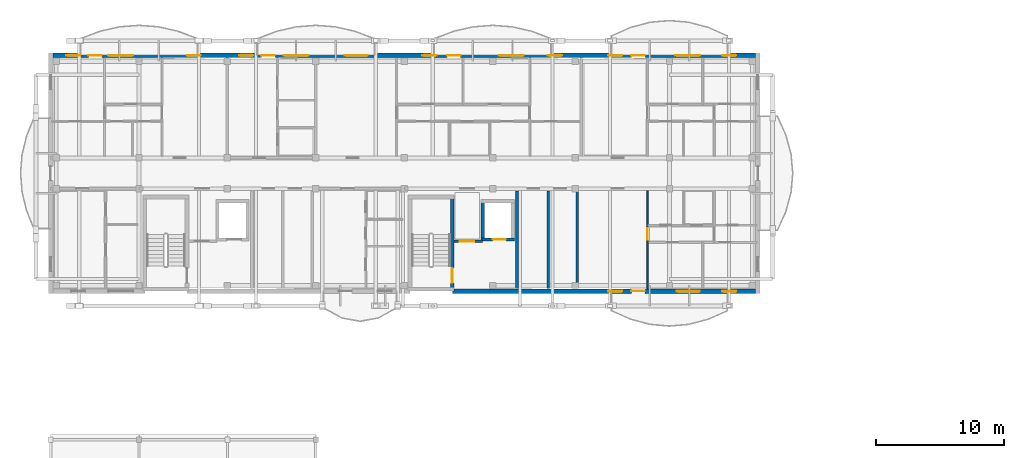
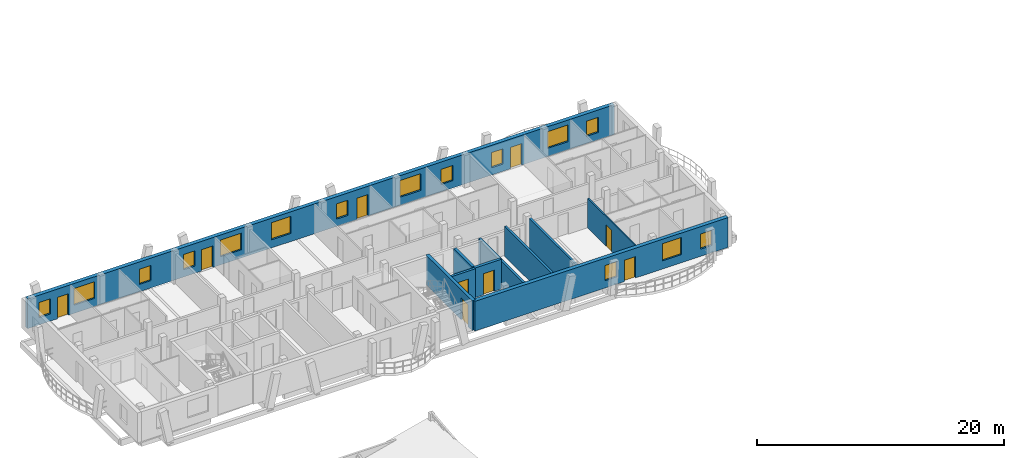
# One storey, part 26 of 50: 15 windows, 10 walls, 9 doors, 24 openings.
"""IFC4 building model written with IfcOpenShell, lengths in metres."""

import ifcopenshell
import ifcopenshell.guid

model = None  # the IFC model being written
_history = None  # IfcOwnerHistory: only IFC2X3 demands one
_inside = {}  # id of a spatial element -> (the spatial element, [elements in it])
_under = {}  # id of a project, library or spatial element -> (it, [spatial elements below it])
_declared = {}  # id of a project -> (the project, [libraries it declares])
_typed = {}  # id of a type object -> (the type object, [elements of that type])
_made_of = {}  # id of a material, layer set ... -> (it, [elements and type objects made of it])


def new_model(schema):
    """Start an empty IFC model of exactly this schema.

    Asked for "IFC4X3", IfcOpenShell would pick the latest addendum, in which some entities
    have other attributes; the version numbers below select the first issue.
    IFC2X3 requires an IfcOwnerHistory on every rooted entity: one is made here for all.
    """
    global model, _history
    if schema == "IFC4X3":
        model = ifcopenshell.file(schema_version=(4, 3, 0, 0))
    else:
        model = ifcopenshell.file(schema=schema)
    _inside.clear()
    _under.clear()
    _declared.clear()
    _typed.clear()
    _made_of.clear()
    _history = None
    if model.schema == "IFC2X3":
        org = make("IfcOrganization", Name="unknown")
        user = make(
            "IfcPersonAndOrganization",
            ThePerson=make("IfcPerson", FamilyName="unknown"),
            TheOrganization=org,
        )
        app = make(
            "IfcApplication",
            ApplicationDeveloper=org,
            Version="unknown",
            ApplicationFullName="unknown",
            ApplicationIdentifier="unknown",
        )
        _history = make(
            "IfcOwnerHistory",
            OwningUser=user,
            OwningApplication=app,
            ChangeAction="ADDED",
            CreationDate=0,
        )
    return model


def make(cls, **values):
    """One entity of the class cls with the attributes given. An attribute that is None is left unset."""
    return model.create_entity(
        cls, **{name: value for name, value in values.items() if value is not None}
    )


def rooted(cls, **values):
    """An entity with a GlobalId (a new one), such as an element, a storey or a relation."""
    return make(cls, GlobalId=ifcopenshell.guid.new(), OwnerHistory=_history, **values)


def si_unit(unit_type, name, prefix=None):
    """IfcSIUnit, for example si_unit("LENGTHUNIT", "METRE", prefix="MILLI")."""
    return make("IfcSIUnit", UnitType=unit_type, Prefix=prefix, Name=name)


def assignment(units):
    """IfcUnitAssignment: the units of a project."""
    return None if units is None else make("IfcUnitAssignment", Units=units)


def point(xyz):
    """IfcCartesianPoint."""
    return None if xyz is None else make("IfcCartesianPoint", Coordinates=xyz)


def direction(xyz):
    """IfcDirection."""
    return None if xyz is None else make("IfcDirection", DirectionRatios=xyz)


def frame(location, z_axis=None, x_axis=None):
    """IfcAxis2Placement3D, a coordinate frame: its origin and axes. An axis left out is left unset."""
    return make(
        "IfcAxis2Placement3D",
        Location=point(location),
        Axis=direction(z_axis),
        RefDirection=direction(x_axis),
    )


def frame_2d(location, x_axis=None):
    """IfcAxis2Placement2D, a coordinate frame in the plane: its origin and x axis."""
    return make(
        "IfcAxis2Placement2D", Location=point(location), RefDirection=direction(x_axis)
    )


def origin():
    """The frame at (0, 0, 0) with its axes left unset."""
    return frame((0.0, 0.0, 0.0))


def origin_with_axes():
    """The frame at (0, 0, 0) with the z axis (0, 0, 1) and the x axis (1, 0, 0) written out."""
    return frame((0.0, 0.0, 0.0), z_axis=(0.0, 0.0, 1.0), x_axis=(1.0, 0.0, 0.0))


def place(relative_to, where):
    """IfcLocalPlacement: puts the frame where relative to a parent placement (None: the world)."""
    return make(
        "IfcLocalPlacement", PlacementRelTo=relative_to, RelativePlacement=where
    )


def context(
    kind, dimensions, precision=None, world=None, true_north=None, identifier=None
):
    """IfcGeometricRepresentationContext, for example the 3D "Model" context."""
    return make(
        "IfcGeometricRepresentationContext",
        ContextIdentifier=identifier,
        ContextType=kind,
        CoordinateSpaceDimension=dimensions,
        Precision=precision,
        WorldCoordinateSystem=world,
        TrueNorth=true_north,
    )


def subcontext(parent, identifier, kind, view, scale=None):
    """IfcGeometricRepresentationSubContext, for example "Body" below "Model"."""
    return make(
        "IfcGeometricRepresentationSubContext",
        ContextIdentifier=identifier,
        ContextType=kind,
        ParentContext=parent,
        TargetScale=scale,
        TargetView=view,
    )


def project(units=None, contexts=None):
    """IfcProject with its units and contexts."""
    return rooted(
        "IfcProject",
        Name="project",
        RepresentationContexts=contexts,
        UnitsInContext=assignment(units),
    )


def spatial(cls, under=None, at=None, **own):
    """A site, building, storey or space (cls), placed at a placement, below another one or the project."""
    s = rooted(cls, ObjectPlacement=at, **own)
    if under is not None:
        _under.setdefault(under.id(), (under, []))[1].append(s)
    return s


def profile(cls, at=None, kind="AREA", **sizes):
    """A parametric profile (cls). Its sizes go by their IFC names, for example OverallWidth=200.0."""
    return make(cls, ProfileType=kind, Position=at, **sizes)


def rectangle(**sizes):
    """IfcRectangleProfileDef."""
    return profile("IfcRectangleProfileDef", **sizes)


def extrude(swept, where, along, depth):
    """IfcExtrudedAreaSolid: the profile swept, set in the frame where, extruded along a direction by depth."""
    return make(
        "IfcExtrudedAreaSolid",
        SweptArea=swept,
        Position=where,
        ExtrudedDirection=direction(along),
        Depth=depth,
    )


def shape(context_of_items, identifier, shape_type, items):
    """IfcShapeRepresentation: the items that make up one representation, for example the "Body"."""
    return make(
        "IfcShapeRepresentation",
        ContextOfItems=context_of_items,
        RepresentationIdentifier=identifier,
        RepresentationType=shape_type,
        Items=items,
    )


def material(Name=None, Category=None):
    """IfcMaterial."""
    return make("IfcMaterial", Name=Name, Category=Category)


def layer(
    of_material, thickness, ventilated=None, Name=None, Category=None, Priority=None
):
    """IfcMaterialLayer: one layer of a wall or slab, of a material (None: an air gap)."""
    return make(
        "IfcMaterialLayer",
        Material=of_material,
        LayerThickness=thickness,
        IsVentilated=ventilated,
        Name=Name,
        Category=Category,
        Priority=Priority,
    )


def layer_set(layers, Name=None):
    """IfcMaterialLayerSet."""
    return make("IfcMaterialLayerSet", MaterialLayers=layers, LayerSetName=Name)


def made_of(thing, what):
    """Note that an element or type object is made of a material, layer set ...; save() writes the relation."""
    if what is not None:
        _made_of.setdefault(what.id(), (what, []))[1].append(thing)
    return thing


def type_object(cls, material=None, **own):
    """A type object (cls), such as IfcWallType, which elements share."""
    return made_of(rooted(cls, **own), material)


def element(
    cls,
    number,
    at=None,
    inside=None,
    cuts=None,
    type_object=None,
    material=None,
    context=None,
    identifier="Body",
    shape_type=None,
    held_by="IfcProductDefinitionShape",
    body=None,
    shapes=None,
    **own,
):
    """One element of the class cls, such as IfcWall. Its Tag is "e" and its number.

    at: its placement. inside: the storey or other place that contains it. cuts: it is an
    opening in that element (IfcRelVoidsElement). A single representation is given by context,
    identifier, shape_type and body (its items); several are given by shapes. held_by: the class
    of the entity that holds the representations. save() writes the other relations.
    """
    e = rooted(cls, Tag="e%d" % number, ObjectPlacement=at, **own)
    if body is not None:
        shapes = [shape(context, identifier, shape_type, body)]
    if shapes is not None:
        e.Representation = make(held_by, Representations=shapes)
    if inside is not None:
        _inside.setdefault(inside.id(), (inside, []))[1].append(e)
    if cuts is not None:
        rooted(
            "IfcRelVoidsElement", RelatingBuildingElement=cuts, RelatedOpeningElement=e
        )
    if type_object is not None:
        _typed.setdefault(type_object.id(), (type_object, []))[1].append(e)
    return made_of(e, material)


def fill(opening, filler):
    """IfcRelFillsElement: the door or window that sits in an opening."""
    return rooted(
        "IfcRelFillsElement",
        RelatingOpeningElement=opening,
        RelatedBuildingElement=filler,
    )


def aggregate(whole, parts):
    """IfcRelAggregates: a whole, such as a stair, and the parts it consists of."""
    return rooted("IfcRelAggregates", RelatingObject=whole, RelatedObjects=parts)


def save(model, path):
    """Write the relations noted so far, then the file.

    IfcRelAggregates (storeys below a building ...), IfcRelContainedInSpatialStructure (elements
    in a storey), IfcRelDefinesByType, IfcRelAssociatesMaterial and IfcRelDeclares: one each for
    every whole, place, type object, material and project.
    """
    for whole, parts in _under.values():
        aggregate(whole, parts)
    for where, things in _inside.values():
        rooted(
            "IfcRelContainedInSpatialStructure",
            RelatedElements=things,
            RelatingStructure=where,
        )
    for kind, things in _typed.values():
        rooted("IfcRelDefinesByType", RelatedObjects=things, RelatingType=kind)
    for what, things in _made_of.values():
        rooted("IfcRelAssociatesMaterial", RelatedObjects=things, RelatingMaterial=what)
    for by, libraries in _declared.values():
        rooted("IfcRelDeclares", RelatingContext=by, RelatedDefinitions=libraries)
    model.write(path)


model = new_model("IFC4")

# Units and contexts
model_context = context("Model", 3, precision=1e-05, world=origin(), true_north=direction((0.0, 1.0)))
body_context = subcontext(model_context, "Body", "Model", "MODEL_VIEW")
ifc_project = project(units=[si_unit("LENGTHUNIT", "METRE"), si_unit("AREAUNIT", "SQUARE_METRE"), si_unit("VOLUMEUNIT", "CUBIC_METRE"), si_unit("PLANEANGLEUNIT", "RADIAN"), si_unit("MASSUNIT", "GRAM", prefix="KILO")], contexts=[model_context])

# Site, building, storey
site_placement = place(None, origin())
site = spatial("IfcSite", under=ifc_project, at=site_placement, CompositionType="ELEMENT")
building_placement = place(site_placement, origin())
building = spatial("IfcBuilding", under=site, at=building_placement, Name="Zavelmont Quarter", CompositionType="ELEMENT")
storey_placement = place(building_placement, frame((0.0, 0.0, 11.199951171875)))
storey = spatial("IfcBuildingStorey", under=building, at=storey_placement, Name="L03", CompositionType="ELEMENT", Elevation=11.199951171875)

# Wall, openings, door, windows
ifc_material_1 = material(Name="Natural Belgian limestone", Category="masonry")
ifc_layer_1 = layer(ifc_material_1, 0.360107421875)
ifc_layer_set_1 = layer_set([ifc_layer_1], Name="Natural Belgian limestone")
wall_type_1 = type_object("IfcWallType", Name="EW02", PredefinedType="STANDARD", material=ifc_layer_set_1)
wall_1_placement = place(storey_placement, frame((31.35009765625, 97.60009765625, 0.0), z_axis=(0.0, 0.0, 1.0), x_axis=(1.0, 0.0, 0.0)))
wall_1 = element("IfcWall", 1, at=wall_1_placement, inside=storey, type_object=wall_type_1, Name="L03 exterior limestone wall EW02", PredefinedType="STANDARD", context=body_context, shape_type="SweptSolid", body=[
    extrude(rectangle(XDim=23.679931640625, YDim=0.360107421875, at=frame_2d((11.83984375, 0.0))), origin(), (0.0, 0.0, 1.0), 2.93994140625),
])
opening_1_placement = place(wall_1_placement, frame((13.97705078125, 0.0, 0.0)))
opening_1 = element("IfcOpeningElement", 2, at=opening_1_placement, cuts=wall_1, Name="Opening DR04A", PredefinedType="OPENING", context=body_context, shape_type="SweptSolid", body=[
    extrude(rectangle(XDim=1.050048828125, YDim=2.1201171875, at=frame_2d((0.52490234375, 1.06005859375))), frame((0.0, 0.19189453125, 0.0), z_axis=(0.0, -1.0, 0.0), x_axis=(1.0, 0.0, 0.0)), (0.0, 0.0, 1.0), 0.384033203125),
])
opening_2_placement = place(wall_1_placement, frame((12.169921875, 0.0, 0.719970703125)))
opening_2 = element("IfcOpeningElement", 3, at=opening_2_placement, cuts=wall_1, Name="Opening WN09", PredefinedType="OPENING", context=body_context, shape_type="SweptSolid", body=[
    extrude(rectangle(XDim=1.10009765625, YDim=1.5, at=frame_2d((0.550048828125, 0.75))), frame((0.0, 0.19189453125, 0.0), z_axis=(0.0, -1.0, 0.0), x_axis=(1.0, 0.0, 0.0)), (0.0, 0.0, 1.0), 0.384033203125),
])
opening_3_placement = place(wall_1_placement, frame((17.52001953125, 0.0, 0.800048828125)))
opening_3 = element("IfcOpeningElement", 4, at=opening_3_placement, cuts=wall_1, Name="Opening WN02", PredefinedType="OPENING", context=body_context, shape_type="SweptSolid", body=[
    extrude(rectangle(XDim=1.800048828125, YDim=1.699951171875, at=frame_2d((0.89990234375, 0.85009765625))), frame((0.0, 0.19189453125, 0.0), z_axis=(0.0, -1.0, 0.0), x_axis=(1.0, 0.0, 0.0)), (0.0, 0.0, 1.0), 0.384033203125),
])
opening_4_placement = place(wall_1_placement, frame((21.070068359375, 0.0, 0.719970703125)))
opening_4 = element("IfcOpeningElement", 5, at=opening_4_placement, cuts=wall_1, Name="Opening WN09", PredefinedType="OPENING", context=body_context, shape_type="SweptSolid", body=[
    extrude(rectangle(XDim=1.10009765625, YDim=1.5, at=frame_2d((0.550048828125, 0.75))), frame((0.0, 0.19189453125, 0.0), z_axis=(0.0, -1.0, 0.0), x_axis=(1.0, 0.0, 0.0)), (0.0, 0.0, 1.0), 0.384033203125),
])
ifc_material_2 = material(Name="Thermally broken aluminium and double safety glass", Category="aluminium")
door_type_1 = type_object("IfcDoorType", Name="DR04A", OperationType="NOTDEFINED", PredefinedType="DOOR", material=ifc_material_2)
door_1_placement = place(opening_1_placement, origin_with_axes())
door_1 = element("IfcDoor", 6, at=door_1_placement, inside=storey, type_object=door_type_1, Name="Block B L03 glazed balcony door", OperationType="SINGLE_SWING_RIGHT", OverallHeight=2.1201171875, OverallWidth=1.050048828125, PredefinedType="DOOR", context=body_context, shape_type="SweptSolid", body=[
    extrude(rectangle(XDim=1.050048828125, YDim=2.1201171875, at=frame_2d((0.52490234375, 1.06005859375))), frame((0.0, 0.02490234375, 0.0), z_axis=(0.0, -1.0, 0.0), x_axis=(1.0, 0.0, 0.0)), (0.0, 0.0, 1.0), 0.050048828125),
])
fill(opening_1, door_1)
ifc_material_3 = material(Name="Double low-E insulated glazing in thermally broken aluminium frame", Category="aluminium")
window_type_1 = type_object("IfcWindowType", Name="WN02", PartitioningType="SINGLE_PANEL", PredefinedType="WINDOW", material=ifc_material_3)
window_1_placement = place(opening_3_placement, origin_with_axes())
window_1 = element("IfcWindow", 7, at=window_1_placement, inside=storey, type_object=window_type_1, Name="L03 window WN02", OverallHeight=1.699951171875, OverallWidth=1.800048828125, PartitioningType="SINGLE_PANEL", PredefinedType="WINDOW", context=body_context, shape_type="SweptSolid", body=[
    extrude(rectangle(XDim=1.800048828125, YDim=1.699951171875, at=frame_2d((0.89990234375, 0.85009765625))), frame((0.0, 0.030029296875, 0.0), z_axis=(0.0, -1.0, 0.0), x_axis=(1.0, 0.0, 0.0)), (0.0, 0.0, 1.0), 0.06005859375),
])
fill(opening_3, window_1)
window_type_2 = type_object("IfcWindowType", Name="WN09", PartitioningType="SINGLE_PANEL", PredefinedType="WINDOW", material=ifc_material_3)
window_2_placement = place(opening_2_placement, origin_with_axes())
window_2 = element("IfcWindow", 8, at=window_2_placement, inside=storey, type_object=window_type_2, Name="L03 window WN09", OverallHeight=1.5, OverallWidth=1.10009765625, PartitioningType="SINGLE_PANEL", PredefinedType="WINDOW", context=body_context, shape_type="SweptSolid", body=[
    extrude(rectangle(XDim=1.10009765625, YDim=1.5, at=frame_2d((0.550048828125, 0.75))), frame((0.0, 0.030029296875, 0.0), z_axis=(0.0, -1.0, 0.0), x_axis=(1.0, 0.0, 0.0)), (0.0, 0.0, 1.0), 0.06005859375),
])
fill(opening_2, window_2)
window_3_placement = place(opening_4_placement, origin_with_axes())
window_3 = element("IfcWindow", 9, at=window_3_placement, inside=storey, type_object=window_type_2, Name="L03 window WN09", OverallHeight=1.5, OverallWidth=1.10009765625, PartitioningType="SINGLE_PANEL", PredefinedType="WINDOW", context=body_context, shape_type="SweptSolid", body=[
    extrude(rectangle(XDim=1.10009765625, YDim=1.5, at=frame_2d((0.550048828125, 0.75))), frame((0.0, 0.030029296875, 0.0), z_axis=(0.0, -1.0, 0.0), x_axis=(1.0, 0.0, 0.0)), (0.0, 0.0, 1.0), 0.06005859375),
])
fill(opening_4, window_3)

# Wall, openings, doors, windows
wall_2_placement = place(storey_placement, frame((0.169921875, 116.0, 0.0), z_axis=(0.0, 0.0, 1.0), x_axis=(1.0, 0.0, 0.0)))
wall_2 = element("IfcWall", 10, at=wall_2_placement, inside=storey, type_object=wall_type_1, Name="L03 exterior limestone wall EW02", PredefinedType="STANDARD", context=body_context, shape_type="SweptSolid", body=[
    extrude(rectangle(XDim=54.860107421875, YDim=0.360107421875, at=frame_2d((27.43017578125, 0.0))), origin(), (0.0, 0.0, 1.0), 2.93994140625),
])
opening_5_placement = place(wall_2_placement, frame((2.77734375, 0.0, 0.0)))
opening_5 = element("IfcOpeningElement", 11, at=opening_5_placement, cuts=wall_2, Name="Opening DR04A", PredefinedType="OPENING", context=body_context, shape_type="SweptSolid", body=[
    extrude(rectangle(XDim=1.050048828125, YDim=2.1201171875, at=frame_2d((0.52490234375, 1.06005859375))), frame((0.0, 0.19189453125, 0.0), z_axis=(0.0, -1.0, 0.0), x_axis=(1.0, 0.0, 0.0)), (0.0, 0.0, 1.0), 0.384033203125),
])
opening_6_placement = place(wall_2_placement, frame((16.27734375, 0.0, 0.0)))
opening_6 = element("IfcOpeningElement", 12, at=opening_6_placement, cuts=wall_2, Name="Opening DR04A", PredefinedType="OPENING", context=body_context, shape_type="SweptSolid", body=[
    extrude(rectangle(XDim=1.050048828125, YDim=2.1201171875, at=frame_2d((0.52490234375, 1.06005859375))), frame((0.0, 0.19189453125, 0.0), z_axis=(0.0, -1.0, 0.0), x_axis=(1.0, 0.0, 0.0)), (0.0, 0.0, 1.0), 0.384033203125),
])
opening_7_placement = place(wall_2_placement, frame((30.77734375, 0.0, 0.0)))
opening_7 = element("IfcOpeningElement", 13, at=opening_7_placement, cuts=wall_2, Name="Opening DR04A", PredefinedType="OPENING", context=body_context, shape_type="SweptSolid", body=[
    extrude(rectangle(XDim=1.050048828125, YDim=2.1201171875, at=frame_2d((0.52490234375, 1.06005859375))), frame((0.0, 0.19189453125, 0.0), z_axis=(0.0, -1.0, 0.0), x_axis=(1.0, 0.0, 0.0)), (0.0, 0.0, 1.0), 0.384033203125),
])
opening_8_placement = place(wall_2_placement, frame((45.156982421875, 0.0, 0.0)))
opening_8 = element("IfcOpeningElement", 14, at=opening_8_placement, cuts=wall_2, Name="Opening DR04A", PredefinedType="OPENING", context=body_context, shape_type="SweptSolid", body=[
    extrude(rectangle(XDim=1.050048828125, YDim=2.1201171875, at=frame_2d((0.52490234375, 1.06005859375))), frame((0.0, 0.19189453125, 0.0), z_axis=(0.0, -1.0, 0.0), x_axis=(1.0, 0.0, 0.0)), (0.0, 0.0, 1.0), 0.384033203125),
])
opening_9_placement = place(wall_2_placement, frame((1.050048828125, 0.0, 0.719970703125)))
opening_9 = element("IfcOpeningElement", 15, at=opening_9_placement, cuts=wall_2, Name="Opening WN09", PredefinedType="OPENING", context=body_context, shape_type="SweptSolid", body=[
    extrude(rectangle(XDim=1.10009765625, YDim=1.5, at=frame_2d((0.550048828125, 0.75))), frame((0.0, 0.19189453125, 0.0), z_axis=(0.0, -1.0, 0.0), x_axis=(1.0, 0.0, 0.0)), (0.0, 0.0, 1.0), 0.384033203125),
])
opening_10_placement = place(wall_2_placement, frame((4.324951171875, 0.0, 0.800048828125)))
opening_10 = element("IfcOpeningElement", 16, at=opening_10_placement, cuts=wall_2, Name="Opening WN24", PredefinedType="OPENING", context=body_context, shape_type="SweptSolid", body=[
    extrude(rectangle(XDim=1.949951171875, YDim=1.64990234375, at=frame_2d((0.97509765625, 0.824951171875))), frame((0.0, 0.19189453125, 0.0), z_axis=(0.0, -1.0, 0.0), x_axis=(1.0, 0.0, 0.0)), (0.0, 0.0, 1.0), 0.384033203125),
])
opening_11_placement = place(wall_2_placement, frame((10.449951171875, 0.0, 0.719970703125)))
opening_11 = element("IfcOpeningElement", 17, at=opening_11_placement, cuts=wall_2, Name="Opening WN09", PredefinedType="OPENING", context=body_context, shape_type="SweptSolid", body=[
    extrude(rectangle(XDim=1.10009765625, YDim=1.5, at=frame_2d((0.550048828125, 0.75))), frame((0.0, 0.19189453125, 0.0), z_axis=(0.0, -1.0, 0.0), x_axis=(1.0, 0.0, 0.0)), (0.0, 0.0, 1.0), 0.384033203125),
])
opening_12_placement = place(wall_2_placement, frame((14.550048828125, 0.0, 0.719970703125)))
opening_12 = element("IfcOpeningElement", 18, at=opening_12_placement, cuts=wall_2, Name="Opening WN09", PredefinedType="OPENING", context=body_context, shape_type="SweptSolid", body=[
    extrude(rectangle(XDim=1.10009765625, YDim=1.5, at=frame_2d((0.550048828125, 0.75))), frame((0.0, 0.19189453125, 0.0), z_axis=(0.0, -1.0, 0.0), x_axis=(1.0, 0.0, 0.0)), (0.0, 0.0, 1.0), 0.384033203125),
])
opening_13_placement = place(wall_2_placement, frame((18.02490234375, 0.0, 0.800048828125)))
opening_13 = element("IfcOpeningElement", 19, at=opening_13_placement, cuts=wall_2, Name="Opening WN24", PredefinedType="OPENING", context=body_context, shape_type="SweptSolid", body=[
    extrude(rectangle(XDim=1.949951171875, YDim=1.64990234375, at=frame_2d((0.97509765625, 0.824951171875))), frame((0.0, 0.19189453125, 0.0), z_axis=(0.0, -1.0, 0.0), x_axis=(1.0, 0.0, 0.0)), (0.0, 0.0, 1.0), 0.384033203125),
])
opening_14_placement = place(wall_2_placement, frame((22.800048828125, 0.0, 0.800048828125)))
opening_14 = element("IfcOpeningElement", 20, at=opening_14_placement, cuts=wall_2, Name="Opening WN02", PredefinedType="OPENING", context=body_context, shape_type="SweptSolid", body=[
    extrude(rectangle(XDim=1.800048828125, YDim=1.699951171875, at=frame_2d((0.89990234375, 0.85009765625))), frame((0.0, 0.19189453125, 0.0), z_axis=(0.0, -1.0, 0.0), x_axis=(1.0, 0.0, 0.0)), (0.0, 0.0, 1.0), 0.384033203125),
])
opening_15_placement = place(wall_2_placement, frame((28.85009765625, 0.0, 0.719970703125)))
opening_15 = element("IfcOpeningElement", 21, at=opening_15_placement, cuts=wall_2, Name="Opening WN09", PredefinedType="OPENING", context=body_context, shape_type="SweptSolid", body=[
    extrude(rectangle(XDim=1.10009765625, YDim=1.5, at=frame_2d((0.550048828125, 0.75))), frame((0.0, 0.19189453125, 0.0), z_axis=(0.0, -1.0, 0.0), x_axis=(1.0, 0.0, 0.0)), (0.0, 0.0, 1.0), 0.384033203125),
])
opening_16_placement = place(wall_2_placement, frame((34.824951171875, 0.0, 0.800048828125)))
opening_16 = element("IfcOpeningElement", 22, at=opening_16_placement, cuts=wall_2, Name="Opening WN24", PredefinedType="OPENING", context=body_context, shape_type="SweptSolid", body=[
    extrude(rectangle(XDim=1.949951171875, YDim=1.64990234375, at=frame_2d((0.97509765625, 0.824951171875))), frame((0.0, 0.19189453125, 0.0), z_axis=(0.0, -1.0, 0.0), x_axis=(1.0, 0.0, 0.0)), (0.0, 0.0, 1.0), 0.384033203125),
])
opening_17_placement = place(wall_2_placement, frame((38.64990234375, 0.0, 0.719970703125)))
opening_17 = element("IfcOpeningElement", 23, at=opening_17_placement, cuts=wall_2, Name="Opening WN09", PredefinedType="OPENING", context=body_context, shape_type="SweptSolid", body=[
    extrude(rectangle(XDim=1.10009765625, YDim=1.5, at=frame_2d((0.550048828125, 0.75))), frame((0.0, 0.19189453125, 0.0), z_axis=(0.0, -1.0, 0.0), x_axis=(1.0, 0.0, 0.0)), (0.0, 0.0, 1.0), 0.384033203125),
])
opening_18_placement = place(wall_2_placement, frame((43.35009765625, 0.0, 0.719970703125)))
opening_18 = element("IfcOpeningElement", 24, at=opening_18_placement, cuts=wall_2, Name="Opening WN09", PredefinedType="OPENING", context=body_context, shape_type="SweptSolid", body=[
    extrude(rectangle(XDim=1.10009765625, YDim=1.5, at=frame_2d((0.550048828125, 0.75))), frame((0.0, 0.19189453125, 0.0), z_axis=(0.0, -1.0, 0.0), x_axis=(1.0, 0.0, 0.0)), (0.0, 0.0, 1.0), 0.384033203125),
])
opening_19_placement = place(wall_2_placement, frame((48.58251953125, 0.0, 0.800048828125)))
opening_19 = element("IfcOpeningElement", 25, at=opening_19_placement, cuts=wall_2, Name="Opening WN24", PredefinedType="OPENING", context=body_context, shape_type="SweptSolid", body=[
    extrude(rectangle(XDim=1.949951171875, YDim=1.64990234375, at=frame_2d((0.97509765625, 0.824951171875))), frame((0.0, 0.19189453125, 0.0), z_axis=(0.0, -1.0, 0.0), x_axis=(1.0, 0.0, 0.0)), (0.0, 0.0, 1.0), 0.384033203125),
])
opening_20_placement = place(wall_2_placement, frame((52.25, 0.0, 0.719970703125)))
opening_20 = element("IfcOpeningElement", 26, at=opening_20_placement, cuts=wall_2, Name="Opening WN09", PredefinedType="OPENING", context=body_context, shape_type="SweptSolid", body=[
    extrude(rectangle(XDim=1.10009765625, YDim=1.5, at=frame_2d((0.550048828125, 0.75))), frame((0.0, 0.19189453125, 0.0), z_axis=(0.0, -1.0, 0.0), x_axis=(1.0, 0.0, 0.0)), (0.0, 0.0, 1.0), 0.384033203125),
])
door_2_placement = place(opening_5_placement, frame((1.050048828125, 0.0, 0.0), z_axis=(0.0, 0.0, 1.0), x_axis=(-1.0, 0.0, 0.0)))
door_2 = element("IfcDoor", 27, at=door_2_placement, inside=storey, type_object=door_type_1, Name="Block B L03 glazed balcony door", OperationType="SINGLE_SWING_LEFT", OverallHeight=2.1201171875, OverallWidth=1.050048828125, PredefinedType="DOOR", context=body_context, shape_type="SweptSolid", body=[
    extrude(rectangle(XDim=1.050048828125, YDim=2.1201171875, at=frame_2d((0.52490234375, 1.06005859375))), frame((0.0, 0.02490234375, 0.0), z_axis=(0.0, -1.0, 0.0), x_axis=(1.0, 0.0, 0.0)), (0.0, 0.0, 1.0), 0.050048828125),
])
fill(opening_5, door_2)
door_3_placement = place(opening_6_placement, frame((1.050048828125, 0.0, 0.0), z_axis=(0.0, 0.0, 1.0), x_axis=(-1.0, 0.0, 0.0)))
door_3 = element("IfcDoor", 28, at=door_3_placement, inside=storey, type_object=door_type_1, Name="Block B L03 glazed balcony door", OperationType="SINGLE_SWING_LEFT", OverallHeight=2.1201171875, OverallWidth=1.050048828125, PredefinedType="DOOR", context=body_context, shape_type="SweptSolid", body=[
    extrude(rectangle(XDim=1.050048828125, YDim=2.1201171875, at=frame_2d((0.52490234375, 1.06005859375))), frame((0.0, 0.02490234375, 0.0), z_axis=(0.0, -1.0, 0.0), x_axis=(1.0, 0.0, 0.0)), (0.0, 0.0, 1.0), 0.050048828125),
])
fill(opening_6, door_3)
door_4_placement = place(opening_7_placement, frame((1.050048828125, 0.0, 0.0), z_axis=(0.0, 0.0, 1.0), x_axis=(-1.0, 0.0, 0.0)))
door_4 = element("IfcDoor", 29, at=door_4_placement, inside=storey, type_object=door_type_1, Name="Block B L03 glazed balcony door", OperationType="SINGLE_SWING_LEFT", OverallHeight=2.1201171875, OverallWidth=1.050048828125, PredefinedType="DOOR", context=body_context, shape_type="SweptSolid", body=[
    extrude(rectangle(XDim=1.050048828125, YDim=2.1201171875, at=frame_2d((0.52490234375, 1.06005859375))), frame((0.0, 0.02490234375, 0.0), z_axis=(0.0, -1.0, 0.0), x_axis=(1.0, 0.0, 0.0)), (0.0, 0.0, 1.0), 0.050048828125),
])
fill(opening_7, door_4)
door_5_placement = place(opening_8_placement, frame((1.050048828125, 0.0, 0.0), z_axis=(0.0, 0.0, 1.0), x_axis=(-1.0, 0.0, 0.0)))
door_5 = element("IfcDoor", 30, at=door_5_placement, inside=storey, type_object=door_type_1, Name="Block B L03 glazed balcony door", OperationType="SINGLE_SWING_LEFT", OverallHeight=2.1201171875, OverallWidth=1.050048828125, PredefinedType="DOOR", context=body_context, shape_type="SweptSolid", body=[
    extrude(rectangle(XDim=1.050048828125, YDim=2.1201171875, at=frame_2d((0.52490234375, 1.06005859375))), frame((0.0, 0.02490234375, 0.0), z_axis=(0.0, -1.0, 0.0), x_axis=(1.0, 0.0, 0.0)), (0.0, 0.0, 1.0), 0.050048828125),
])
fill(opening_8, door_5)
window_4_placement = place(opening_14_placement, origin_with_axes())
window_4 = element("IfcWindow", 31, at=window_4_placement, inside=storey, type_object=window_type_1, Name="L03 window WN02", OverallHeight=1.699951171875, OverallWidth=1.800048828125, PartitioningType="SINGLE_PANEL", PredefinedType="WINDOW", context=body_context, shape_type="SweptSolid", body=[
    extrude(rectangle(XDim=1.800048828125, YDim=1.699951171875, at=frame_2d((0.89990234375, 0.85009765625))), frame((0.0, 0.030029296875, 0.0), z_axis=(0.0, -1.0, 0.0), x_axis=(1.0, 0.0, 0.0)), (0.0, 0.0, 1.0), 0.06005859375),
])
fill(opening_14, window_4)
window_5_placement = place(opening_9_placement, origin_with_axes())
window_5 = element("IfcWindow", 32, at=window_5_placement, inside=storey, type_object=window_type_2, Name="L03 window WN09", OverallHeight=1.5, OverallWidth=1.10009765625, PartitioningType="SINGLE_PANEL", PredefinedType="WINDOW", context=body_context, shape_type="SweptSolid", body=[
    extrude(rectangle(XDim=1.10009765625, YDim=1.5, at=frame_2d((0.550048828125, 0.75))), frame((0.0, 0.030029296875, 0.0), z_axis=(0.0, -1.0, 0.0), x_axis=(1.0, 0.0, 0.0)), (0.0, 0.0, 1.0), 0.06005859375),
])
fill(opening_9, window_5)
window_6_placement = place(opening_11_placement, origin_with_axes())
window_6 = element("IfcWindow", 33, at=window_6_placement, inside=storey, type_object=window_type_2, Name="L03 window WN09", OverallHeight=1.5, OverallWidth=1.10009765625, PartitioningType="SINGLE_PANEL", PredefinedType="WINDOW", context=body_context, shape_type="SweptSolid", body=[
    extrude(rectangle(XDim=1.10009765625, YDim=1.5, at=frame_2d((0.550048828125, 0.75))), frame((0.0, 0.030029296875, 0.0), z_axis=(0.0, -1.0, 0.0), x_axis=(1.0, 0.0, 0.0)), (0.0, 0.0, 1.0), 0.06005859375),
])
fill(opening_11, window_6)
window_7_placement = place(opening_12_placement, origin_with_axes())
window_7 = element("IfcWindow", 34, at=window_7_placement, inside=storey, type_object=window_type_2, Name="L03 window WN09", OverallHeight=1.5, OverallWidth=1.10009765625, PartitioningType="SINGLE_PANEL", PredefinedType="WINDOW", context=body_context, shape_type="SweptSolid", body=[
    extrude(rectangle(XDim=1.10009765625, YDim=1.5, at=frame_2d((0.550048828125, 0.75))), frame((0.0, 0.030029296875, 0.0), z_axis=(0.0, -1.0, 0.0), x_axis=(1.0, 0.0, 0.0)), (0.0, 0.0, 1.0), 0.06005859375),
])
fill(opening_12, window_7)
window_8_placement = place(opening_15_placement, origin_with_axes())
window_8 = element("IfcWindow", 35, at=window_8_placement, inside=storey, type_object=window_type_2, Name="L03 window WN09", OverallHeight=1.5, OverallWidth=1.10009765625, PartitioningType="SINGLE_PANEL", PredefinedType="WINDOW", context=body_context, shape_type="SweptSolid", body=[
    extrude(rectangle(XDim=1.10009765625, YDim=1.5, at=frame_2d((0.550048828125, 0.75))), frame((0.0, 0.030029296875, 0.0), z_axis=(0.0, -1.0, 0.0), x_axis=(1.0, 0.0, 0.0)), (0.0, 0.0, 1.0), 0.06005859375),
])
fill(opening_15, window_8)
window_9_placement = place(opening_17_placement, origin_with_axes())
window_9 = element("IfcWindow", 36, at=window_9_placement, inside=storey, type_object=window_type_2, Name="L03 window WN09", OverallHeight=1.5, OverallWidth=1.10009765625, PartitioningType="SINGLE_PANEL", PredefinedType="WINDOW", context=body_context, shape_type="SweptSolid", body=[
    extrude(rectangle(XDim=1.10009765625, YDim=1.5, at=frame_2d((0.550048828125, 0.75))), frame((0.0, 0.030029296875, 0.0), z_axis=(0.0, -1.0, 0.0), x_axis=(1.0, 0.0, 0.0)), (0.0, 0.0, 1.0), 0.06005859375),
])
fill(opening_17, window_9)
window_10_placement = place(opening_18_placement, origin_with_axes())
window_10 = element("IfcWindow", 37, at=window_10_placement, inside=storey, type_object=window_type_2, Name="L03 window WN09", OverallHeight=1.5, OverallWidth=1.10009765625, PartitioningType="SINGLE_PANEL", PredefinedType="WINDOW", context=body_context, shape_type="SweptSolid", body=[
    extrude(rectangle(XDim=1.10009765625, YDim=1.5, at=frame_2d((0.550048828125, 0.75))), frame((0.0, 0.030029296875, 0.0), z_axis=(0.0, -1.0, 0.0), x_axis=(1.0, 0.0, 0.0)), (0.0, 0.0, 1.0), 0.06005859375),
])
fill(opening_18, window_10)
window_11_placement = place(opening_20_placement, origin_with_axes())
window_11 = element("IfcWindow", 38, at=window_11_placement, inside=storey, type_object=window_type_2, Name="L03 window WN09", OverallHeight=1.5, OverallWidth=1.10009765625, PartitioningType="SINGLE_PANEL", PredefinedType="WINDOW", context=body_context, shape_type="SweptSolid", body=[
    extrude(rectangle(XDim=1.10009765625, YDim=1.5, at=frame_2d((0.550048828125, 0.75))), frame((0.0, 0.030029296875, 0.0), z_axis=(0.0, -1.0, 0.0), x_axis=(1.0, 0.0, 0.0)), (0.0, 0.0, 1.0), 0.06005859375),
])
fill(opening_20, window_11)
window_type_3 = type_object("IfcWindowType", Name="WN24", PartitioningType="SINGLE_PANEL", PredefinedType="WINDOW", material=ifc_material_3)
window_12_placement = place(opening_10_placement, origin_with_axes())
window_12 = element("IfcWindow", 39, at=window_12_placement, inside=storey, type_object=window_type_3, Name="L03 window WN24", OverallHeight=1.64990234375, OverallWidth=1.949951171875, PartitioningType="SINGLE_PANEL", PredefinedType="WINDOW", context=body_context, shape_type="SweptSolid", body=[
    extrude(rectangle(XDim=1.949951171875, YDim=1.64990234375, at=frame_2d((0.97509765625, 0.824951171875))), frame((0.0, 0.030029296875, 0.0), z_axis=(0.0, -1.0, 0.0), x_axis=(1.0, 0.0, 0.0)), (0.0, 0.0, 1.0), 0.06005859375),
])
fill(opening_10, window_12)
window_13_placement = place(opening_13_placement, origin_with_axes())
window_13 = element("IfcWindow", 40, at=window_13_placement, inside=storey, type_object=window_type_3, Name="L03 window WN24", OverallHeight=1.64990234375, OverallWidth=1.949951171875, PartitioningType="SINGLE_PANEL", PredefinedType="WINDOW", context=body_context, shape_type="SweptSolid", body=[
    extrude(rectangle(XDim=1.949951171875, YDim=1.64990234375, at=frame_2d((0.97509765625, 0.824951171875))), frame((0.0, 0.030029296875, 0.0), z_axis=(0.0, -1.0, 0.0), x_axis=(1.0, 0.0, 0.0)), (0.0, 0.0, 1.0), 0.06005859375),
])
fill(opening_13, window_13)
window_14_placement = place(opening_16_placement, origin_with_axes())
window_14 = element("IfcWindow", 41, at=window_14_placement, inside=storey, type_object=window_type_3, Name="L03 window WN24", OverallHeight=1.64990234375, OverallWidth=1.949951171875, PartitioningType="SINGLE_PANEL", PredefinedType="WINDOW", context=body_context, shape_type="SweptSolid", body=[
    extrude(rectangle(XDim=1.949951171875, YDim=1.64990234375, at=frame_2d((0.97509765625, 0.824951171875))), frame((0.0, 0.030029296875, 0.0), z_axis=(0.0, -1.0, 0.0), x_axis=(1.0, 0.0, 0.0)), (0.0, 0.0, 1.0), 0.06005859375),
])
fill(opening_16, window_14)
window_15_placement = place(opening_19_placement, origin_with_axes())
window_15 = element("IfcWindow", 42, at=window_15_placement, inside=storey, type_object=window_type_3, Name="L03 window WN24", OverallHeight=1.64990234375, OverallWidth=1.949951171875, PartitioningType="SINGLE_PANEL", PredefinedType="WINDOW", context=body_context, shape_type="SweptSolid", body=[
    extrude(rectangle(XDim=1.949951171875, YDim=1.64990234375, at=frame_2d((0.97509765625, 0.824951171875))), frame((0.0, 0.030029296875, 0.0), z_axis=(0.0, -1.0, 0.0), x_axis=(1.0, 0.0, 0.0)), (0.0, 0.0, 1.0), 0.06005859375),
])
fill(opening_19, window_15)

# Walls
ifc_material_4 = material(Name="Calcium-silicate blockwork and acoustic plaster", Category="masonry")
ifc_layer_2 = layer(ifc_material_4, 0.199951171875)
ifc_layer_set_2 = layer_set([ifc_layer_2], Name="Calcium-silicate blockwork and acoustic plaster")
wall_type_2 = type_object("IfcWallType", Name="IW01", PredefinedType="PARTITIONING", material=ifc_layer_set_2)
for number, where, z_axis, x_axis, name in (
    (43, (38.824951171875, 97.800048828125, 0.0), (0.0, 0.0, 1.0), (0.0, 1.0, 0.0), "L03 Service riser divider wall IW01"),
    (44, (41.1201171875, 97.800048828125, 0.0), (0.0, 0.0, 1.0), (0.0, 1.0, 0.0), "L03 Core service end wall IW01"),
):
    element("IfcWall", number, at=place(storey_placement, frame(where, z_axis=z_axis, x_axis=x_axis)), inside=storey, type_object=wall_type_2, Name=name, PredefinedType="PARTITIONING", context=body_context, shape_type="SweptSolid", body=[
        extrude(rectangle(XDim=7.599853515625, YDim=0.199951171875, at=frame_2d((3.7998046875, 0.0))), origin(), (0.0, 0.0, 1.0), 2.93994140625),
    ])
ifc_material_5 = material(Name="Reinforced masonry fire compartment wall", Category="masonry")
ifc_layer_3 = layer(ifc_material_5, 0.22509765625)
ifc_layer_set_3 = layer_set([ifc_layer_3], Name="Reinforced masonry fire compartment wall")
wall_type_3 = type_object("IfcWallType", Name="IW02", PredefinedType="PARTITIONING", material=ifc_layer_set_3)
wall_3_placement = place(storey_placement, frame((36.409912109375, 97.800048828125, 0.0), z_axis=(0.0, 0.0, 1.0), x_axis=(0.0, 1.0, 0.0)))
element("IfcWall", 45, at=wall_3_placement, inside=storey, type_object=wall_type_3, Name="L03 Firefighting lobby enclosure wall IW02", PredefinedType="PARTITIONING", context=body_context, shape_type="SweptSolid", body=[
    extrude(rectangle(XDim=7.599853515625, YDim=0.22509765625, at=frame_2d((3.7998046875, 0.0))), origin(), (0.0, 0.0, 1.0), 2.590087890625),
])

# Wall, opening, door
wall_4_placement = place(storey_placement, frame((31.5, 101.5, 0.0), z_axis=(0.0, 0.0, 1.0), x_axis=(1.0, 0.0, 0.0)))
wall_4 = element("IfcWall", 46, at=wall_4_placement, inside=storey, type_object=wall_type_3, Name="L03 Firefighting lobby threshold wall IW02", PredefinedType="PARTITIONING", context=body_context, shape_type="SweptSolid", body=[
    extrude(rectangle(XDim=2.199951171875, YDim=0.22509765625, at=frame_2d((1.10009765625, 0.0))), origin(), (0.0, 0.0, 1.0), 2.93994140625),
])
opening_21_placement = place(wall_4_placement, frame((0.449951171875, 0.0, 0.0)))
opening_21 = element("IfcOpeningElement", 47, at=opening_21_placement, cuts=wall_4, Name="Opening DR10", PredefinedType="OPENING", context=body_context, shape_type="SweptSolid", body=[
    extrude(rectangle(XDim=1.10009765625, YDim=2.14990234375, at=frame_2d((0.550048828125, 1.074951171875))), frame((0.0, 0.12451171875, 0.0), z_axis=(0.0, -1.0, 0.0), x_axis=(1.0, 0.0, 0.0)), (0.0, 0.0, 1.0), 0.2490234375),
])
ifc_material_6 = material(Name="Painted steel lobby fire door", Category="steel")
door_type_2 = type_object("IfcDoorType", Name="DR10", OperationType="NOTDEFINED", PredefinedType="DOOR", material=ifc_material_6)
door_6_placement = place(opening_21_placement, frame((1.10009765625, 0.0, 0.0), z_axis=(0.0, 0.0, 1.0), x_axis=(-1.0, 0.0, 0.0)))
door_6 = element("IfcDoor", 48, at=door_6_placement, inside=storey, type_object=door_type_2, Name="Firefighting lobby fire door", OperationType="SINGLE_SWING_RIGHT", OverallHeight=2.14990234375, OverallWidth=1.10009765625, PredefinedType="DOOR", context=body_context, shape_type="SweptSolid", body=[
    extrude(rectangle(XDim=1.10009765625, YDim=2.14990234375, at=frame_2d((0.550048828125, 1.074951171875))), frame((0.0, 0.02490234375, 0.0), z_axis=(0.0, -1.0, 0.0), x_axis=(1.0, 0.0, 0.0)), (0.0, 0.0, 1.0), 0.050048828125),
])
fill(opening_21, door_6)

ifc_material_7 = material(Name="Double gypsum board on acoustic steel stud", Category="steel")
ifc_layer_4 = layer(ifc_material_7, 0.125)
ifc_layer_set_4 = layer_set([ifc_layer_4], Name="Double gypsum board on acoustic steel stud")
wall_type_4 = type_object("IfcWallType", Name="IW03", PredefinedType="PARTITIONING", material=ifc_layer_set_4)
wall_5_placement = place(storey_placement, frame((46.60009765625, 105.449951171875, 0.0), z_axis=(0.0, 0.0, 1.0), x_axis=(0.0, -1.0, 0.0)))
wall_5 = element("IfcWall", 49, at=wall_5_placement, inside=storey, type_object=wall_type_4, Name="L03 Partition IW03", PredefinedType="PARTITIONING", context=body_context, shape_type="SweptSolid", body=[
    extrude(rectangle(XDim=7.64990234375, YDim=0.125, at=frame_2d((3.824951171875, 0.0))), origin(), (0.0, 0.0, 1.0), 2.93994140625),
])
opening_22_placement = place(wall_5_placement, frame((2.949951171875, 0.0, 0.0)))
opening_22 = element("IfcOpeningElement", 50, at=opening_22_placement, cuts=wall_5, Name="Opening DR05", PredefinedType="OPENING", context=body_context, shape_type="SweptSolid", body=[
    extrude(rectangle(XDim=0.89990234375, YDim=2.10009765625, at=frame_2d((0.449951171875, 1.050048828125))), frame((0.0, 0.074462890625, 0.0), z_axis=(0.0, -1.0, 0.0), x_axis=(1.0, 0.0, 0.0)), (0.0, 0.0, 1.0), 0.14892578125),
])
ifc_material_8 = material(Name="Engineered oak flush interior door")
door_type_3 = type_object("IfcDoorType", Name="DR05", OperationType="NOTDEFINED", PredefinedType="DOOR", material=ifc_material_8)
door_7_placement = place(opening_22_placement, origin_with_axes())
door_7 = element("IfcDoor", 51, at=door_7_placement, inside=storey, type_object=door_type_3, Name="L03 door DR05", OperationType="SINGLE_SWING_RIGHT", OverallHeight=2.10009765625, OverallWidth=0.89990234375, PredefinedType="DOOR", context=body_context, shape_type="SweptSolid", body=[
    extrude(rectangle(XDim=0.89990234375, YDim=2.10009765625, at=frame_2d((0.449951171875, 1.050048828125))), frame((0.0, 0.02490234375, 0.0), z_axis=(0.0, -1.0, 0.0), x_axis=(1.0, 0.0, 0.0)), (0.0, 0.0, 1.0), 0.050048828125),
])
fill(opening_22, door_7)

ifc_material_9 = material(Name="Concrete C40/50", Category="concrete")
ifc_layer_5 = layer(ifc_material_9, 0.300048828125)
ifc_layer_set_5 = layer_set([ifc_layer_5], Name="Concrete C40/50")
wall_type_5 = type_object("IfcWallType", Name="SW01", PredefinedType="SHEAR", material=ifc_layer_set_5)
wall_6_placement = place(storey_placement, frame((31.35009765625, 97.60009765625, 0.0), z_axis=(0.0, 0.0, 1.0), x_axis=(0.0, 1.0, 0.0)))
wall_6 = element("IfcWall", 52, at=wall_6_placement, inside=storey, type_object=wall_type_5, Name="L03 ST04 lobby shear wall SW01", PredefinedType="SHEAR", context=body_context, shape_type="SweptSolid", body=[
    extrude(rectangle(XDim=7.5, YDim=0.300048828125, at=frame_2d((3.75, 0.0))), origin(), (0.0, 0.0, 1.0), 2.93994140625),
])
opening_23_placement = place(wall_6_placement, frame((0.64990234375, 0.0, 0.0)))
opening_23 = element("IfcOpeningElement", 53, at=opening_23_placement, cuts=wall_6, Name="Opening DR09", PredefinedType="OPENING", context=body_context, shape_type="SweptSolid", body=[
    extrude(rectangle(XDim=1.14990234375, YDim=2.14990234375, at=frame_2d((0.574951171875, 1.074951171875))), frame((0.0, 0.162109375, 0.0), z_axis=(0.0, -1.0, 0.0), x_axis=(1.0, 0.0, 0.0)), (0.0, 0.0, 1.0), 0.323974609375),
])
ifc_material_10 = material(Name="Painted steel stair-core fire door", Category="steel")
door_type_4 = type_object("IfcDoorType", Name="DR09", OperationType="NOTDEFINED", PredefinedType="DOOR", material=ifc_material_10)
door_8_placement = place(opening_23_placement, origin_with_axes())
door_8 = element("IfcDoor", 54, at=door_8_placement, inside=storey, type_object=door_type_4, Name="ST04 protected stair door", OperationType="SINGLE_SWING_RIGHT", OverallHeight=2.14990234375, OverallWidth=1.14990234375, PredefinedType="DOOR", context=body_context, shape_type="SweptSolid", body=[
    extrude(rectangle(XDim=1.14990234375, YDim=2.14990234375, at=frame_2d((0.574951171875, 1.074951171875))), frame((0.0, 0.02490234375, 0.0), z_axis=(0.0, -1.0, 0.0), x_axis=(1.0, 0.0, 0.0)), (0.0, 0.0, 1.0), 0.050048828125),
])
fill(opening_23, door_8)

ifc_layer_6 = layer(ifc_material_9, 0.25)
ifc_layer_set_6 = layer_set([ifc_layer_6], Name="Concrete C40/50")
wall_type_6 = type_object("IfcWallType", Name="SW02", PredefinedType="SHEAR", material=ifc_layer_set_6)
wall_7_placement = place(storey_placement, frame((33.60009765625, 101.625, 0.0), z_axis=(0.0, 0.0, 1.0), x_axis=(1.0, 0.0, 0.0)))
wall_7 = element("IfcWall", 55, at=wall_7_placement, inside=storey, type_object=wall_type_6, Name="L03 Lift LF04 landing shaft wall SW02", PredefinedType="SHEAR", context=body_context, shape_type="SweptSolid", body=[
    extrude(rectangle(XDim=2.599853515625, YDim=0.25, at=frame_2d((1.2998046875, 0.0))), origin(), (0.0, 0.0, 1.0), 2.93994140625),
])
opening_24_placement = place(wall_7_placement, frame((0.925048828125, 0.0, 0.0)))
opening_24 = element("IfcOpeningElement", 56, at=opening_24_placement, cuts=wall_7, Name="Opening LD01", PredefinedType="OPENING", context=body_context, shape_type="SweptSolid", body=[
    extrude(rectangle(XDim=1.0, YDim=2.10009765625, at=frame_2d((0.5, 1.050048828125))), frame((0.0, 0.136962890625, 0.0), z_axis=(0.0, -1.0, 0.0), x_axis=(1.0, 0.0, 0.0)), (0.0, 0.0, 1.0), 0.27392578125),
])
ifc_material_11 = material(Name="Brushed stainless-steel automatic sliding landing door", Category="steel")
door_type_5 = type_object("IfcDoorType", Name="LD01", OperationType="SLIDING_TO_LEFT", PredefinedType="DOOR", material=ifc_material_11)
door_9_placement = place(opening_24_placement, origin_with_axes())
door_9 = element("IfcDoor", 57, at=door_9_placement, inside=storey, type_object=door_type_5, Name="Lift LF04 sliding landing door", OperationType="SLIDING_TO_LEFT", OverallHeight=2.10009765625, OverallWidth=1.0, PredefinedType="DOOR", context=body_context, shape_type="SweptSolid", body=[
    extrude(rectangle(XDim=1.0, YDim=2.10009765625, at=frame_2d((0.5, 1.050048828125))), frame((0.0, 0.02490234375, 0.0), z_axis=(0.0, -1.0, 0.0), x_axis=(1.0, 0.0, 0.0)), (0.0, 0.0, 1.0), 0.050048828125),
])
fill(opening_24, door_9)

# Wall
wall_8_placement = place(storey_placement, frame((33.72509765625, 101.5, 0.0), z_axis=(0.0, 0.0, 1.0), x_axis=(0.0, 1.0, 0.0)))
element("IfcWall", 58, at=wall_8_placement, inside=storey, type_object=wall_type_6, Name="L03 Lift LF04 west shaft wall SW02", PredefinedType="SHEAR", context=body_context, shape_type="SweptSolid", body=[
    extrude(rectangle(XDim=3.25, YDim=0.25, at=frame_2d((1.625, 0.0))), origin(), (0.0, 0.0, 1.0), 2.93994140625),
])

save(model, "model.ifc")
